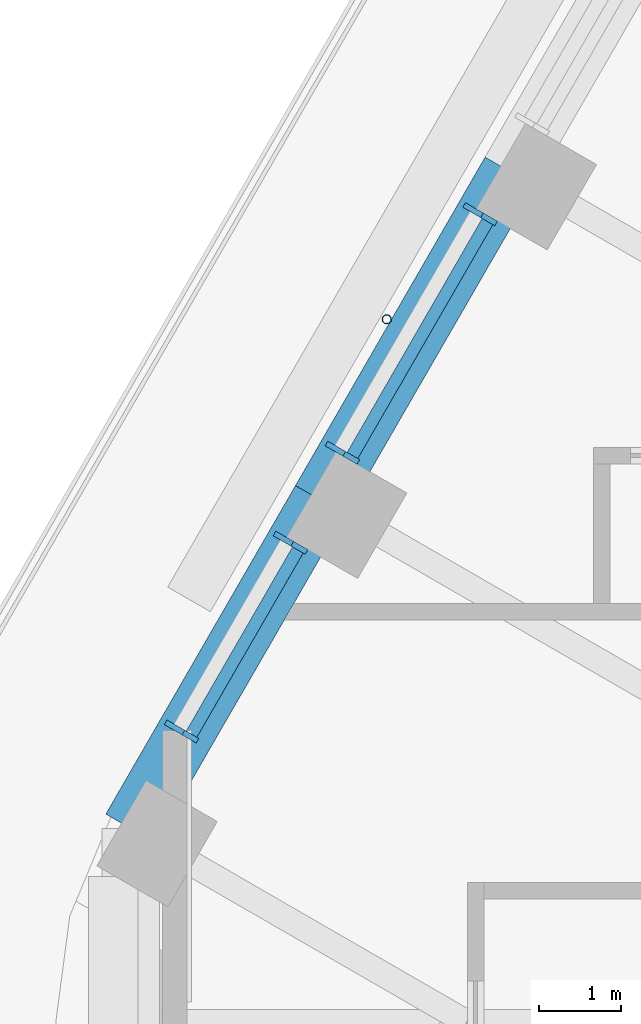
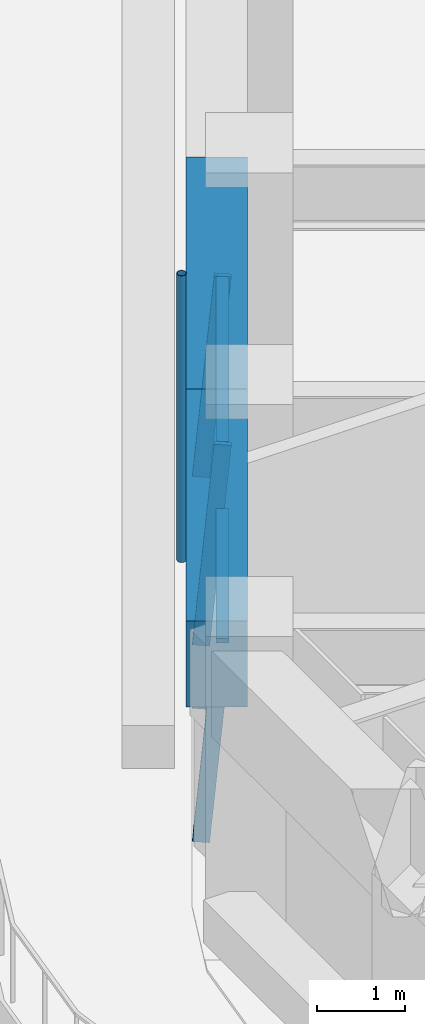
# One storey, part 6 of 20: 7 members, 2 beams, 2 elements without a shape of their own.
"""IFC4 building model written with IfcOpenShell, lengths in metres."""

from ifc_helpers import new_model, si_unit, direction, frame, origin, origin_2d, place, context, subcontext, project, spatial, rectangle, hollow_circle, extrude, material, material_profile, profile_set, type_object, element, aggregate, save


model = new_model("IFC4")

# Units and contexts
model_context = context("Model", 3, precision=1e-05, world=origin(), true_north=direction((0.0, 1.0)))
body_context = subcontext(model_context, "Body", "Model", "MODEL_VIEW")
ifc_project = project(units=[si_unit("LENGTHUNIT", "METRE"), si_unit("AREAUNIT", "SQUARE_METRE"), si_unit("VOLUMEUNIT", "CUBIC_METRE"), si_unit("PLANEANGLEUNIT", "RADIAN"), si_unit("MASSUNIT", "GRAM", prefix="KILO")], contexts=[model_context])

# Site, building, storey
site_placement = place(None, origin())
site = spatial("IfcSite", under=ifc_project, at=site_placement, CompositionType="ELEMENT")
building_placement = place(site_placement, origin())
building = spatial("IfcBuilding", under=site, at=building_placement, Name="Tarfa Lantern Tower", CompositionType="ELEMENT")
storey_placement = place(building_placement, frame((0.0, 0.0, 270.10009765625)))
storey = spatial("IfcBuildingStorey", under=building, at=storey_placement, Name="L61", CompositionType="ELEMENT", Elevation=270.10009765625)

# Curtain wall, members
ifc_material_1 = material(Name="Aluminium framed curtain wall", Category="aluminium")
curtain_wall_type = type_object("IfcCurtainWallType", Name="CW3 CANTED GLAZING HIGH ZONE 2800", PredefinedType="USERDEFINED", material=ifc_material_1)
curtain_wall_1_placement = place(storey_placement, origin())
curtain_wall_1 = element("IfcCurtainWall", 1, at=curtain_wall_1_placement, inside=storey, type_object=curtain_wall_type, Name="CW3 NW L61", ObjectType="CURTAIN WALL", PredefinedType="USERDEFINED")
ifc_material_2 = material(Name="Aluminium mullion", Category="aluminium")
ifc_material_profile_1 = material_profile(ifc_material_2, rectangle(XDim=0.06494140625, YDim=0.199951171875, at=origin_2d()), Name="AL MULLION 65x200")
ifc_profile_set_1 = profile_set([ifc_material_profile_1], Name="Aluminium mullion")
member_type_1 = type_object("IfcMemberType", Name="CWM1 MULLION 65x200", PredefinedType="MULLION", material=ifc_profile_set_1)
member_1_placement = place(storey_placement, frame((-27.65380859375, 9.90234375, 0.0), z_axis=(0.077039050765, -0.044468989844, 0.996035889715), x_axis=(0.499919672301, 0.866071776036, 0.0)))
member_1 = element("IfcMember", 2, at=member_1_placement, type_object=member_type_1, Name="CW3 mullion 1", PredefinedType="MULLION", context=body_context, shape_type="SweptSolid", body=[
    extrude(rectangle(XDim=0.06494140625, YDim=0.199951171875, at=origin_2d()), origin(), (0.0, 0.0, 1.0), 2.81103515625),
])
member_2_placement = place(storey_placement, frame((-29.33056640625, 6.997802734375, 0.0), z_axis=(0.07695271188, -0.044469287226, 0.996042550611), x_axis=(0.500342721131, 0.865827443207, 0.0)))
member_2 = element("IfcMember", 3, at=member_2_placement, type_object=member_type_1, Name="CW3 mullion 2", PredefinedType="MULLION", context=body_context, shape_type="SweptSolid", body=[
    extrude(rectangle(XDim=0.06494140625, YDim=0.199951171875, at=origin_2d()), origin(), (0.0, 0.0, 1.0), 2.81103515625),
])

curtain_wall_2_placement = place(storey_placement, origin())
curtain_wall_2 = element("IfcCurtainWall", 4, at=curtain_wall_2_placement, inside=storey, type_object=curtain_wall_type, Name="CW3 NW L61", ObjectType="CURTAIN WALL", PredefinedType="USERDEFINED")
member_3_placement = place(storey_placement, frame((-29.963134765625, 5.90234375, 0.0), z_axis=(0.077039050765, -0.044468989844, 0.996035889715), x_axis=(0.499919672301, 0.866071776036, 0.0)))
member_3 = element("IfcMember", 5, at=member_3_placement, type_object=member_type_1, Name="CW3 mullion 1", PredefinedType="MULLION", context=body_context, shape_type="SweptSolid", body=[
    extrude(rectangle(XDim=0.06494140625, YDim=0.199951171875, at=origin_2d()), origin(), (0.0, 0.0, 1.0), 2.81103515625),
])
member_4_placement = place(storey_placement, frame((-31.2900390625, 3.60400390625, 0.0), z_axis=(0.077039050765, -0.044468989844, 0.996035889715), x_axis=(0.499919672301, 0.866071776036, 0.0)))
member_4 = element("IfcMember", 6, at=member_4_placement, type_object=member_type_1, Name="CW3 mullion 2", PredefinedType="MULLION", context=body_context, shape_type="SweptSolid", body=[
    extrude(rectangle(XDim=0.06494140625, YDim=0.199951171875, at=origin_2d()), origin(), (0.0, 0.0, 1.0), 2.81103515625),
])

# Member
ifc_material_3 = material(Name="Aluminium transom", Category="aluminium")
ifc_material_profile_2 = material_profile(ifc_material_3, rectangle(XDim=0.14990234375, YDim=0.06494140625, at=origin_2d()), Name="AL TRANSOM 150x65")
ifc_profile_set_2 = profile_set([ifc_material_profile_2], Name="Aluminium transom")
member_type_2 = type_object("IfcMemberType", Name="CWT1 TRANSOM 150x65", PredefinedType="USERDEFINED", material=ifc_profile_set_2)
member_5_placement = place(storey_placement, frame((-27.4560546875, 9.75048828125, 2.767333984375), z_axis=(-0.499979497339, -0.866037240677, 0.0), x_axis=(0.866037240677, -0.499979497339, 0.0)))
member_5 = element("IfcMember", 7, at=member_5_placement, type_object=member_type_2, Name="CW3 transom 1.2", ObjectType="TRANSOM", PredefinedType="USERDEFINED", context=body_context, shape_type="SweptSolid", body=[
    extrude(rectangle(XDim=0.14990234375, YDim=0.06494140625, at=origin_2d()), origin(), (0.0, 0.0, 1.0), 3.288818359375),
])

aggregate(curtain_wall_1, [member_1, member_2, member_5])

member_6_placement = place(storey_placement, frame((-29.765380859375, 5.75048828125, 2.767333984375), z_axis=(-0.5000136139, -0.866017543653, 0.0), x_axis=(0.866017543653, -0.5000136139, 0.0)))
member_6 = element("IfcMember", 8, at=member_6_placement, type_object=member_type_2, Name="CW3 transom 1.2", ObjectType="TRANSOM", PredefinedType="USERDEFINED", context=body_context, shape_type="SweptSolid", body=[
    extrude(rectangle(XDim=0.14990234375, YDim=0.06494140625, at=origin_2d()), origin(), (0.0, 0.0, 1.0), 2.5888671875),
])

aggregate(curtain_wall_2, [member_3, member_4, member_6])

# Beams
ifc_material_4 = material(Name="Concrete C80/95", Category="concrete")
ifc_material_profile_3 = material_profile(ifc_material_4, rectangle(XDim=0.699951171875, YDim=1.199951171875, at=origin_2d()), Name="RC 700x1200")
ifc_profile_set_3 = profile_set([ifc_material_profile_3], Name="Concrete C80/95")
beam_type = type_object("IfcBeamType", Name="EB3 RC 700x1200", PredefinedType="SPANDREL", material=ifc_profile_set_3)
beam_1_placement = place(storey_placement, frame((-27.181640625, 10.360107421875, 3.39990234375), z_axis=(-0.499987836815, -0.866032426089, 0.0), x_axis=(0.866032426089, -0.499987836815, 0.0)))
element("IfcBeam", 9, at=beam_1_placement, inside=storey, type_object=beam_type, Name="Edge beam NW4", PredefinedType="SPANDREL", context=body_context, shape_type="SweptSolid", body=[
    extrude(rectangle(XDim=0.699951171875, YDim=1.199951171875, at=origin_2d()), origin(), (0.0, 0.0, 1.0), 4.61865234375),
])
beam_2_placement = place(storey_placement, frame((-29.490966796875, 6.360107421875, 3.39990234375), z_axis=(-0.500027479704, -0.866009537788, 0.0), x_axis=(0.866009537788, -0.500027479704, 0.0)))
element("IfcBeam", 10, at=beam_2_placement, inside=storey, type_object=beam_type, Name="Edge beam NW5", PredefinedType="SPANDREL", context=body_context, shape_type="SweptSolid", body=[
    extrude(rectangle(XDim=0.699951171875, YDim=1.199951171875, at=origin_2d()), origin(), (0.0, 0.0, 1.0), 4.618896484375),
])

# Member
ifc_material_5 = material(Name="Steel S355", Category="steel")
ifc_material_profile_4 = material_profile(ifc_material_5, hollow_circle(Radius=0.05712890625, WallThickness=0.00634765625, at=origin_2d()), Name="CHS114.3x6.3")
ifc_profile_set_4 = profile_set([ifc_material_profile_4], Name="Steel S355")
member_type_3 = type_object("IfcMemberType", Name="TR1 GREEN WALL TRELLIS CHS114.3x6.3", PredefinedType="USERDEFINED", material=ifc_profile_set_4)
member_7_placement = place(storey_placement, frame((-28.682861328125, 8.56005859375, 0.0), z_axis=(0.0, 0.0, 1.0), x_axis=(1.0, 0.0, 0.0)))
element("IfcMember", 11, at=member_7_placement, inside=storey, type_object=member_type_3, Name="Trellis post NW 2", ObjectType="TRELLIS", PredefinedType="USERDEFINED", context=body_context, shape_type="SweptSolid", body=[
    extrude(hollow_circle(Radius=0.05712890625, WallThickness=0.00634765625, at=origin_2d()), origin(), (0.0, 0.0, 1.0), 4.0),
])

save(model, "model.ifc")
